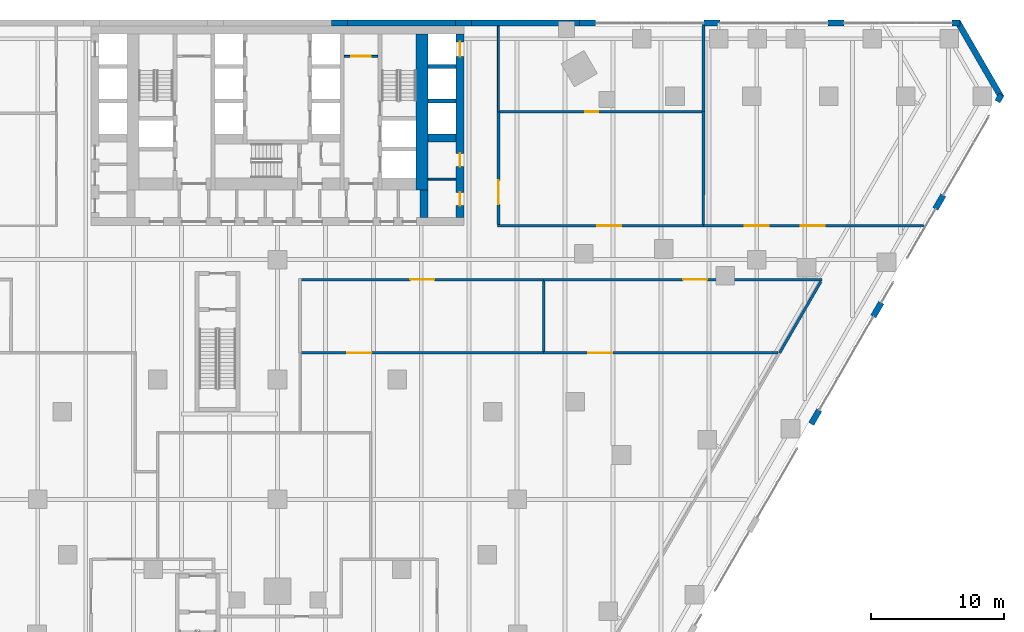
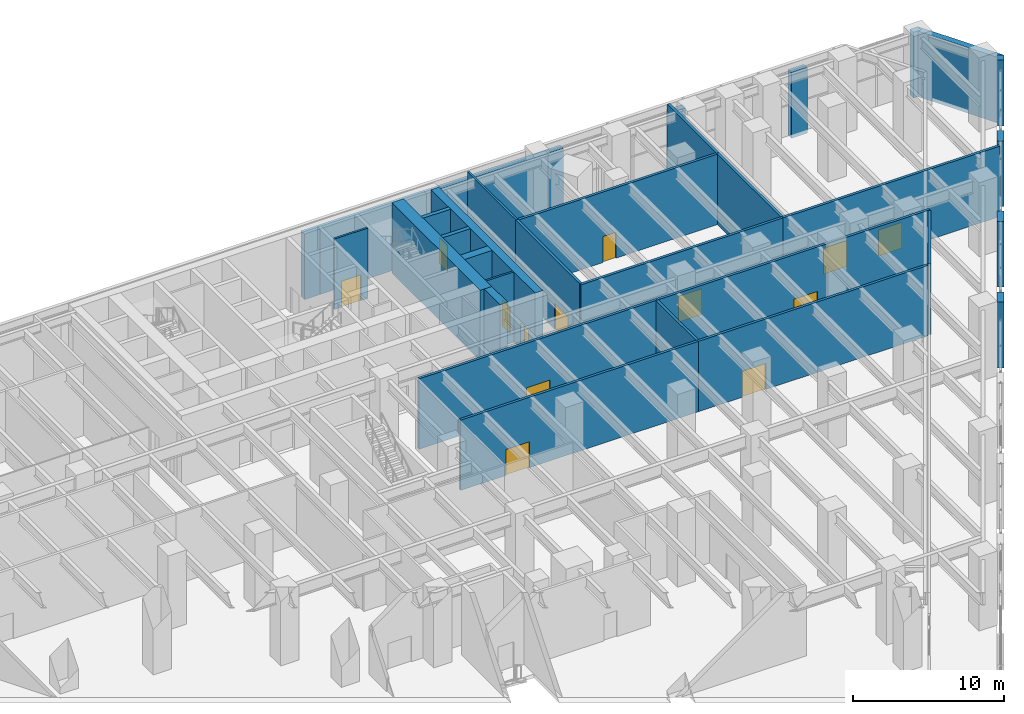
# One storey, part 34 of 37: 34 walls, 13 doors, 13 openings.
"""IFC4 building model written with IfcOpenShell, lengths in metres."""

from ifc_helpers import new_model, si_unit, direction, frame, frame_2d, origin, place, context, subcontext, project, spatial, polyline, rectangle, outline, extrude, material, layer, layer_set, type_object, element, fill, save


model = new_model("IFC4")

# Units and contexts
model_context = context("Model", 3, precision=1e-05, world=origin(), true_north=direction((0.0, 1.0)))
body_context = subcontext(model_context, "Body", "Model", "MODEL_VIEW")
ifc_project = project(units=[si_unit("LENGTHUNIT", "METRE"), si_unit("AREAUNIT", "SQUARE_METRE"), si_unit("VOLUMEUNIT", "CUBIC_METRE"), si_unit("PLANEANGLEUNIT", "RADIAN"), si_unit("MASSUNIT", "GRAM", prefix="KILO")], contexts=[model_context])

# Site, building, storey
site_placement = place(None, origin())
site = spatial("IfcSite", under=ifc_project, at=site_placement, CompositionType="ELEMENT")
building_placement = place(site_placement, origin())
building = spatial("IfcBuilding", under=site, at=building_placement, Name="Aloe Facet Convention Tower", CompositionType="ELEMENT")
storey_placement = place(building_placement, frame((0.0, 0.0, 7.5)))
storey = spatial("IfcBuildingStorey", under=building, at=storey_placement, Name="L01", CompositionType="ELEMENT", Elevation=7.5)

# Wall, opening, door
ifc_material_1 = material(Name="Concrete blockwork partition", Category="masonry")
ifc_layer_1 = layer(ifc_material_1, 0.14990234375)
ifc_layer_set_1 = layer_set([ifc_layer_1], Name="CR-W-PART150")
wall_type_1 = type_object("IfcWallType", Name="CR-W-PART150", PredefinedType="PARTITIONING", material=ifc_layer_set_1)
wall_1_placement = place(storey_placement, frame((85.0, 132.27490234375, 0.0), z_axis=(0.0, 0.0, 1.0), x_axis=(1.0, 0.0, 0.0)))
wall_1 = element("IfcWall", 1, at=wall_1_placement, inside=storey, type_object=wall_type_1, Name="Core partition L01-039", PredefinedType="PARTITIONING", context=body_context, shape_type="SweptSolid", body=[
    extrude(rectangle(XDim=2.550048828125, YDim=0.14990234375, at=frame_2d((1.27490234375, 0.0))), origin(), (0.0, 0.0, 1.0), 5.699951171875),
])
opening_1_placement = place(wall_1_placement, frame((0.52490234375, 0.0, 0.0)))
opening_1 = element("IfcOpeningElement", 2, at=opening_1_placement, cuts=wall_1, Name="Opening L01-CD20", PredefinedType="OPENING", context=body_context, shape_type="SweptSolid", body=[
    extrude(rectangle(XDim=1.5, YDim=2.10009765625, at=frame_2d((0.75, 1.050048828125))), frame((0.0, 0.0849609375, 0.0), z_axis=(0.0, -1.0, 0.0), x_axis=(1.0, 0.0, 0.0)), (0.0, 0.0, 1.0), 0.169921875),
])
ifc_material_2 = material(Name="Steel fire-resisting door set FD60", Category="steel")
door_type_1 = type_object("IfcDoorType", Name="CR-D-REFUGE-1500-FD60-DD", OperationType="DOUBLE_DOOR_DOUBLE_SWING", PredefinedType="DOOR", material=ifc_material_2)
door_1_placement = place(opening_1_placement, origin())
door_1 = element("IfcDoor", 3, at=door_1_placement, inside=storey, type_object=door_type_1, Name="Core door L01-CD20", OperationType="DOUBLE_DOOR_DOUBLE_SWING", OverallHeight=2.10009765625, OverallWidth=1.5, PredefinedType="DOOR", context=body_context, shape_type="SweptSolid", body=[
    extrude(rectangle(XDim=1.5, YDim=2.10009765625, at=frame_2d((0.75, 1.050048828125))), frame((0.0, 0.02490234375, 0.0), z_axis=(0.0, -1.0, 0.0), x_axis=(1.0, 0.0, 0.0)), (0.0, 0.0, 1.0), 0.050048828125),
])
fill(opening_1, door_1)

# Walls
wall_2_placement = place(storey_placement, frame((91.300048828125, 123.048583984375, 0.0), z_axis=(0.0, 0.0, 1.0), x_axis=(1.0, 0.0, 0.0)))
element("IfcWall", 4, at=wall_2_placement, inside=storey, type_object=wall_type_1, Name="Core partition L01-053", PredefinedType="PARTITIONING", context=body_context, shape_type="SweptSolid", body=[
    extrude(rectangle(XDim=2.099853515625, YDim=0.14990234375, at=frame_2d((1.0498046875, 0.0))), origin(), (0.0, 0.0, 1.0), 5.699951171875),
])
ifc_material_3 = material(Name="Concrete C80/95", Category="concrete")
ifc_layer_2 = layer(ifc_material_3, 0.300048828125)
ifc_layer_set_2 = layer_set([ifc_layer_2], Name="CR-W-RC300-C8095")
wall_type_2 = type_object("IfcWallType", Name="CR-W-RC300-C8095", PredefinedType="SOLIDWALL", material=ifc_layer_set_2)
for number, where, z_axis, x_axis, name in (
    (5, (91.300048828125, 131.5, 0.0), (0.0, 0.0, 1.0), (1.0, 0.0, 0.0), "Core wall L01-050"),
    (6, (91.300048828125, 128.89990234375, 0.0), (0.0, 0.0, 1.0), (1.0, 0.0, 0.0), "Core wall L01-051"),
):
    element("IfcWall", number, at=place(storey_placement, frame(where, z_axis=z_axis, x_axis=x_axis)), inside=storey, type_object=wall_type_2, Name=name, PredefinedType="SOLIDWALL", context=body_context, shape_type="SweptSolid", body=[
        extrude(rectangle(XDim=2.099853515625, YDim=0.300048828125, at=frame_2d((1.0498046875, 0.0))), origin(), (0.0, 0.0, 1.0), 5.699951171875),
    ])
ifc_material_4 = material(Name="Concrete C80/95", Category="concrete")
ifc_layer_3 = layer(ifc_material_4, 0.60009765625)
ifc_layer_set_3 = layer_set([ifc_layer_3], Name="CR-W-RC600-C8095")
wall_type_3 = type_object("IfcWallType", Name="CR-W-RC600-C8095", PredefinedType="SOLIDWALL", material=ifc_layer_set_3)
wall_3_placement = place(storey_placement, frame((91.0, 122.25, 0.0), z_axis=(0.0, 0.0, 1.0), x_axis=(0.0, -1.0, 0.0)))
element("IfcWall", 7, at=wall_3_placement, inside=storey, type_object=wall_type_3, Name="Core wall L01-049", PredefinedType="SOLIDWALL", context=body_context, shape_type="SweptSolid", body=[
    extrude(rectangle(XDim=2.10009765625, YDim=0.60009765625, at=frame_2d((1.050048828125, 0.0))), origin(), (0.0, 0.0, 1.0), 5.699951171875),
])
wall_4_placement = place(storey_placement, frame((91.300048828125, 126.14990234375, 0.0), z_axis=(0.0, 0.0, 1.0), x_axis=(1.0, 0.0, 0.0)))
element("IfcWall", 8, at=wall_4_placement, inside=storey, type_object=wall_type_3, Name="Core wall L01-052", PredefinedType="SOLIDWALL", context=body_context, shape_type="SweptSolid", body=[
    extrude(rectangle(XDim=2.099853515625, YDim=0.60009765625, at=frame_2d((1.0498046875, 0.0))), origin(), (0.0, 0.0, 1.0), 5.699951171875),
])

# Wall, openings, doors
wall_5_placement = place(storey_placement, frame((93.699951171875, 133.949951171875, 0.0), z_axis=(0.0, 0.0, 1.0), x_axis=(0.0, -1.0, 0.0)))
wall_5 = element("IfcWall", 9, at=wall_5_placement, inside=storey, type_object=wall_type_3, Name="Core wall L01-054", PredefinedType="SOLIDWALL", context=body_context, shape_type="SweptSolid", body=[
    extrude(rectangle(XDim=13.800048828125, YDim=0.60009765625, at=frame_2d((6.89990234375, 0.0))), origin(), (0.0, 0.0, 1.0), 5.699951171875),
])
opening_2_placement = place(wall_5_placement, frame((0.60009765625, 0.0, 0.0)))
opening_2 = element("IfcOpeningElement", 10, at=opening_2_placement, cuts=wall_5, Name="Opening LD-A8-L01", PredefinedType="OPENING", context=body_context, shape_type="SweptSolid", body=[
    extrude(rectangle(XDim=1.10009765625, YDim=2.10009765625, at=frame_2d((0.550048828125, 1.050048828125))), frame((0.0, 0.31005859375, 0.0), z_axis=(0.0, -1.0, 0.0), x_axis=(1.0, 0.0, 0.0)), (0.0, 0.0, 1.0), 0.6201171875),
])
opening_3_placement = place(wall_5_placement, frame((8.963134765625, 0.0, 0.0)))
opening_3 = element("IfcOpeningElement", 11, at=opening_3_placement, cuts=wall_5, Name="Opening L01-CD09", PredefinedType="OPENING", context=body_context, shape_type="SweptSolid", body=[
    extrude(rectangle(XDim=1.0, YDim=2.10009765625, at=frame_2d((0.5, 1.050048828125))), frame((0.0, 0.31005859375, 0.0), z_axis=(0.0, -1.0, 0.0), x_axis=(1.0, 0.0, 0.0)), (0.0, 0.0, 1.0), 0.6201171875),
])
opening_4_placement = place(wall_5_placement, frame((11.88818359375, 0.0, 0.0)))
opening_4 = element("IfcOpeningElement", 12, at=opening_4_placement, cuts=wall_5, Name="Opening L01-CD10", PredefinedType="OPENING", context=body_context, shape_type="SweptSolid", body=[
    extrude(rectangle(XDim=1.0, YDim=2.10009765625, at=frame_2d((0.5, 1.050048828125))), frame((0.0, 0.31005859375, 0.0), z_axis=(0.0, -1.0, 0.0), x_axis=(1.0, 0.0, 0.0)), (0.0, 0.0, 1.0), 0.6201171875),
])
ifc_material_5 = material(Name="Steel fire-resisting door set FD60", Category="steel")
door_type_2 = type_object("IfcDoorType", Name="CR-D-ROOM-1000-FD60-SLEFT", OperationType="SINGLE_SWING_LEFT", PredefinedType="DOOR", material=ifc_material_5)
door_2_placement = place(opening_3_placement, origin())
door_2 = element("IfcDoor", 13, at=door_2_placement, inside=storey, type_object=door_type_2, Name="Core door L01-CD09", OperationType="SINGLE_SWING_LEFT", OverallHeight=2.10009765625, OverallWidth=1.0, PredefinedType="DOOR", context=body_context, shape_type="SweptSolid", body=[
    extrude(rectangle(XDim=1.0, YDim=2.10009765625, at=frame_2d((0.5, 1.050048828125))), frame((0.0, 0.02490234375, 0.0), z_axis=(0.0, -1.0, 0.0), x_axis=(1.0, 0.0, 0.0)), (0.0, 0.0, 1.0), 0.050048828125),
])
fill(opening_3, door_2)
door_3_placement = place(opening_4_placement, origin())
door_3 = element("IfcDoor", 14, at=door_3_placement, inside=storey, type_object=door_type_2, Name="Core door L01-CD10", OperationType="SINGLE_SWING_LEFT", OverallHeight=2.10009765625, OverallWidth=1.0, PredefinedType="DOOR", context=body_context, shape_type="SweptSolid", body=[
    extrude(rectangle(XDim=1.0, YDim=2.10009765625, at=frame_2d((0.5, 1.050048828125))), frame((0.0, 0.02490234375, 0.0), z_axis=(0.0, -1.0, 0.0), x_axis=(1.0, 0.0, 0.0)), (0.0, 0.0, 1.0), 0.050048828125),
])
fill(opening_4, door_3)
ifc_material_6 = material(Name="Stainless steel sliding landing door", Category="steel")
door_type_3 = type_object("IfcDoorType", Name="CR-LD-1100-FD60-_LEFT", OperationType="SLIDING_TO_LEFT", PredefinedType="DOOR", material=ifc_material_6)
door_4_placement = place(opening_2_placement, origin())
door_4 = element("IfcDoor", 15, at=door_4_placement, inside=storey, type_object=door_type_3, Name="Landing door A8 L01", OperationType="SLIDING_TO_LEFT", OverallHeight=2.10009765625, OverallWidth=1.10009765625, PredefinedType="DOOR", context=body_context, shape_type="SweptSolid", body=[
    extrude(rectangle(XDim=1.10009765625, YDim=2.10009765625, at=frame_2d((0.550048828125, 1.050048828125))), frame((0.0, 0.02490234375, 0.0), z_axis=(0.0, -1.0, 0.0), x_axis=(1.0, 0.0, 0.0)), (0.0, 0.0, 1.0), 0.050048828125),
])
fill(opening_2, door_4)

# Walls
ifc_material_7 = material(Name="Concrete C80/95", Category="concrete")
ifc_layer_4 = layer(ifc_material_7, 0.89990234375)
ifc_layer_set_4 = layer_set([ifc_layer_4], Name="CR-W-RC900-C8095")
wall_type_4 = type_object("IfcWallType", Name="CR-W-RC900-C8095", PredefinedType="SOLIDWALL", material=ifc_layer_set_4)
wall_6_placement = place(storey_placement, frame((90.85009765625, 133.949951171875, 0.0), z_axis=(0.0, 0.0, 1.0), x_axis=(0.0, -1.0, 0.0)))
element("IfcWall", 16, at=wall_6_placement, inside=storey, type_object=wall_type_4, Name="Core wall L01-048", PredefinedType="SOLIDWALL", context=body_context, shape_type="SweptSolid", body=[
    extrude(rectangle(XDim=11.699951171875, YDim=0.89990234375, at=frame_2d((5.85009765625, 0.0))), origin(), (0.0, 0.0, 1.0), 5.699951171875),
])
ifc_material_8 = material(Name="Precast concrete C40/50", Category="concrete")
ifc_layer_5 = layer(ifc_material_8, 0.449951171875)
ifc_layer_set_5 = layer_set([ifc_layer_5], Name="EV-WALL-PIER")
wall_type_5 = type_object("IfcWallType", Name="EV-WALL-PIER", PredefinedType="SOLIDWALL", material=ifc_layer_set_5)
wall_7_placement = place(storey_placement, frame((0.0, 0.0, -0.300048828125)))
element("IfcWall", 17, at=wall_7_placement, inside=storey, type_object=wall_type_5, Name="EP-L01-C", PredefinedType="SOLIDWALL", context=body_context, shape_type="SweptSolid", body=[
    extrude(outline(polyline([(134.567626953125, 129.2841796875), (134.177734375, 129.50927734375), (134.0478515625, 129.2841796875), (131.0078125, 134.550048828125), (131.267578125, 134.550048828125), (131.267578125, 135.0), (134.567626953125, 129.2841796875)])), origin(), (0.0, 0.0, 1.0), 5.3125),
])
ifc_material_9 = material(Name="Precast concrete C40/50", Category="concrete")
ifc_layer_6 = layer(ifc_material_9, 0.449951171875)
ifc_layer_set_6 = layer_set([ifc_layer_6], Name="EV-WALL-STONE")
wall_type_6 = type_object("IfcWallType", Name="EV-WALL-STONE", PredefinedType="SOLIDWALL", material=ifc_layer_set_6)
wall_8_placement = place(storey_placement, frame((131.267578125, 134.77490234375, -0.300048828125), z_axis=(0.0, 0.0, 1.0), x_axis=(-1.0, 0.0, 0.0)))
element("IfcWall", 18, at=wall_8_placement, inside=storey, type_object=wall_type_6, Name="PW-L01-N01", PredefinedType="SOLIDWALL", context=body_context, shape_type="SweptSolid", body=[
    extrude(rectangle(XDim=0.60009765625, YDim=0.449951171875, at=frame_2d((0.300048828125, 0.0))), origin(), (0.0, 0.0, 1.0), 5.3125),
])
for number, where, z_axis, x_axis, name in (
    (19, (122.546142578125, 134.77490234375, -0.300048828125), (0.0, 0.0, 1.0), (-1.0, 0.0, 0.0), "PW-L01-N03"),
    (20, (113.224853515625, 134.77490234375, -0.300048828125), (0.0, 0.0, 1.0), (-1.0, 0.0, 0.0), "PW-L01-N05"),
    (21, (103.9033203125, 134.77490234375, -0.300048828125), (0.0, 0.0, 1.0), (-1.0, 0.0, 0.0), "PW-L01-N07"),
):
    element("IfcWall", number, at=place(storey_placement, frame(where, z_axis=z_axis, x_axis=x_axis)), inside=storey, type_object=wall_type_6, Name=name, PredefinedType="SOLIDWALL", context=body_context, shape_type="SweptSolid", body=[
        extrude(rectangle(XDim=1.199951171875, YDim=0.449951171875, at=frame_2d((0.60009765625, 0.0))), origin(), (0.0, 0.0, 1.0), 5.3125),
    ])
wall_9_placement = place(storey_placement, frame((102.703369140625, 134.77490234375, -0.300048828125), z_axis=(0.0, 0.0, 1.0), x_axis=(-1.0, 0.0, 0.0)))
element("IfcWall", 22, at=wall_9_placement, inside=storey, type_object=wall_type_6, Name="PW-L01-N08", PredefinedType="SOLIDWALL", context=body_context, shape_type="SweptSolid", body=[
    extrude(rectangle(XDim=8.121337890625, YDim=0.449951171875, at=frame_2d((4.060546875, 0.0))), origin(), (0.0, 0.0, 1.0), 5.3125),
])
wall_10_placement = place(storey_placement, frame((94.58203125, 134.77490234375, -0.300048828125), z_axis=(0.0, 0.0, 1.0), x_axis=(-1.0, 0.0, 0.0)))
element("IfcWall", 23, at=wall_10_placement, inside=storey, type_object=wall_type_6, Name="PW-L01-N09", PredefinedType="SOLIDWALL", context=body_context, shape_type="SweptSolid", body=[
    extrude(rectangle(XDim=1.199951171875, YDim=0.449951171875, at=frame_2d((0.60009765625, 0.0))), origin(), (0.0, 0.0, 1.0), 5.3125),
])
wall_11_placement = place(storey_placement, frame((93.382080078125, 134.77490234375, -0.300048828125), z_axis=(0.0, 0.0, 1.0), x_axis=(-1.0, 0.0, 0.0)))
element("IfcWall", 24, at=wall_11_placement, inside=storey, type_object=wall_type_6, Name="PW-L01-N10", PredefinedType="SOLIDWALL", context=body_context, shape_type="SweptSolid", body=[
    extrude(rectangle(XDim=8.121337890625, YDim=0.449951171875, at=frame_2d((4.060546875, 0.0))), origin(), (0.0, 0.0, 1.0), 5.3125),
])
wall_12_placement = place(storey_placement, frame((85.2607421875, 134.77490234375, -0.300048828125), z_axis=(0.0, 0.0, 1.0), x_axis=(-1.0, 0.0, 0.0)))
element("IfcWall", 25, at=wall_12_placement, inside=storey, type_object=wall_type_6, Name="PW-L01-N11", PredefinedType="SOLIDWALL", context=body_context, shape_type="SweptSolid", body=[
    extrude(rectangle(XDim=1.199951171875, YDim=0.449951171875, at=frame_2d((0.60009765625, 0.0))), origin(), (0.0, 0.0, 1.0), 5.3125),
])
for number, where, z_axis, x_axis, name in (
    (26, (120.090576171875, 104.659423828125, -0.300048828125), (0.0, 0.0, 1.0), (0.500033551112, 0.866006032174, 0.0), "PW-L01-E17"),
    (27, (124.751220703125, 112.73193359375, -0.300048828125), (0.0, 0.0, 1.0), (0.500033551112, 0.866006032174, 0.0), "PW-L01-E19"),
):
    element("IfcWall", number, at=place(storey_placement, frame(where, z_axis=z_axis, x_axis=x_axis)), inside=storey, type_object=wall_type_6, Name=name, PredefinedType="SOLIDWALL", context=body_context, shape_type="SweptSolid", body=[
        extrude(rectangle(XDim=1.2001953125, YDim=0.449951171875, at=frame_2d((0.60009765625, 0.0))), origin(), (0.0, 0.0, 1.0), 5.3125),
    ])
wall_13_placement = place(storey_placement, frame((129.411865234375, 120.8046875, -0.300048828125), z_axis=(0.0, 0.0, 1.0), x_axis=(0.50012165622, 0.865955154139, 0.0)))
element("IfcWall", 28, at=wall_13_placement, inside=storey, type_object=wall_type_6, Name="PW-L01-E21", PredefinedType="SOLIDWALL", context=body_context, shape_type="SweptSolid", body=[
    extrude(rectangle(XDim=1.199951171875, YDim=0.449951171875, at=frame_2d((0.60009765625, 0.0))), origin(), (0.0, 0.0, 1.0), 5.3125),
])
wall_14_placement = place(storey_placement, frame((134.07275390625, 128.877197265625, -0.300048828125), z_axis=(0.0, 0.0, 1.0), x_axis=(0.499816412211, 0.866131372301, 0.0)))
element("IfcWall", 29, at=wall_14_placement, inside=storey, type_object=wall_type_6, Name="PW-L01-E23", PredefinedType="SOLIDWALL", context=body_context, shape_type="SweptSolid", body=[
    extrude(rectangle(XDim=0.599853515625, YDim=0.449951171875, at=frame_2d((0.2998046875, 0.0))), origin(), (0.0, 0.0, 1.0), 5.3125),
])

# Wall, opening, door
ifc_material_10 = material(Name="Masonry blockwork wall, plastered", Category="masonry")
ifc_layer_7 = layer(ifc_material_10, 0.199951171875)
ifc_layer_set_7 = layer_set([ifc_layer_7], Name="IN-POD-W-ASSY")
wall_type_7 = type_object("IfcWallType", Name="IN-POD-W-ASSY", PredefinedType="PARTITIONING", material=ifc_layer_set_7)
wall_15_placement = place(storey_placement, frame((81.780029296875, 110.0, 0.0), z_axis=(0.0, 0.0, 1.0), x_axis=(1.0, 0.0, 0.0)))
wall_15 = element("IfcWall", 30, at=wall_15_placement, inside=storey, type_object=wall_type_7, Name="Partition L01-W028", PredefinedType="PARTITIONING", context=body_context, shape_type="SweptSolid", body=[
    extrude(rectangle(XDim=18.219970703125, YDim=0.199951171875, at=frame_2d((9.10986328125, 0.0))), origin(), (0.0, 0.0, 1.0), 5.699951171875),
])
opening_5_placement = place(wall_15_placement, frame((3.464111328125, 0.0, 0.0)))
opening_5 = element("IfcOpeningElement", 31, at=opening_5_placement, cuts=wall_15, Name="Opening L01-023", PredefinedType="OPENING", context=body_context, shape_type="SweptSolid", body=[
    extrude(rectangle(XDim=1.800048828125, YDim=2.10009765625, at=frame_2d((0.89990234375, 1.050048828125))), frame((0.0, 0.10986328125, 0.0), z_axis=(0.0, -1.0, 0.0), x_axis=(1.0, 0.0, 0.0)), (0.0, 0.0, 1.0), 0.219970703125),
])
ifc_material_11 = material(Name="Hardwood flush door pair", Category="wood")
door_type_4 = type_object("IfcDoorType", Name="IN-POD-D-PAIR", OperationType="DOUBLE_DOOR_SINGLE_SWING", PredefinedType="DOOR", material=ifc_material_11)
door_5_placement = place(opening_5_placement, origin())
door_5 = element("IfcDoor", 32, at=door_5_placement, inside=storey, type_object=door_type_4, Name="Door L01-023", OperationType="SINGLE_SWING_LEFT", OverallHeight=2.10009765625, OverallWidth=1.800048828125, PredefinedType="DOOR", context=body_context, shape_type="SweptSolid", body=[
    extrude(rectangle(XDim=1.800048828125, YDim=2.10009765625, at=frame_2d((0.89990234375, 1.050048828125))), frame((0.0, 0.02490234375, 0.0), z_axis=(0.0, -1.0, 0.0), x_axis=(1.0, 0.0, 0.0)), (0.0, 0.0, 1.0), 0.050048828125),
])
fill(opening_5, door_5)

# Wall
wall_16_placement = place(storey_placement, frame((100.0, 110.0849609375, 0.0), z_axis=(0.0, 0.0, 1.0), x_axis=(0.0, 1.0, 0.0)))
element("IfcWall", 33, at=wall_16_placement, inside=storey, type_object=wall_type_7, Name="Partition L01-W029", PredefinedType="PARTITIONING", context=body_context, shape_type="SweptSolid", body=[
    extrude(rectangle(XDim=5.330078125, YDim=0.199951171875, at=frame_2d((2.6650390625, 0.0))), origin(), (0.0, 0.0, 1.0), 5.699951171875),
])

# Wall, opening, door
wall_17_placement = place(storey_placement, frame((100.0, 110.0, 0.0), z_axis=(0.0, 0.0, 1.0), x_axis=(1.0, 0.0, 0.0)))
wall_17 = element("IfcWall", 34, at=wall_17_placement, inside=storey, type_object=wall_type_7, Name="Partition L01-W031", PredefinedType="PARTITIONING", context=body_context, shape_type="SweptSolid", body=[
    extrude(rectangle(XDim=17.593017578125, YDim=0.199951171875, at=frame_2d((8.79638671875, 0.0))), origin(), (0.0, 0.0, 1.0), 5.699951171875),
])
opening_6_placement = place(wall_17_placement, frame((3.338623046875, 0.0, 0.0)))
opening_6 = element("IfcOpeningElement", 35, at=opening_6_placement, cuts=wall_17, Name="Opening L01-025", PredefinedType="OPENING", context=body_context, shape_type="SweptSolid", body=[
    extrude(rectangle(XDim=1.800048828125, YDim=2.10009765625, at=frame_2d((0.89990234375, 1.050048828125))), frame((0.0, 0.10986328125, 0.0), z_axis=(0.0, -1.0, 0.0), x_axis=(1.0, 0.0, 0.0)), (0.0, 0.0, 1.0), 0.219970703125),
])
door_6_placement = place(opening_6_placement, origin())
door_6 = element("IfcDoor", 36, at=door_6_placement, inside=storey, type_object=door_type_4, Name="Door L01-025", OperationType="SINGLE_SWING_LEFT", OverallHeight=2.10009765625, OverallWidth=1.800048828125, PredefinedType="DOOR", context=body_context, shape_type="SweptSolid", body=[
    extrude(rectangle(XDim=1.800048828125, YDim=2.10009765625, at=frame_2d((0.89990234375, 1.050048828125))), frame((0.0, 0.02490234375, 0.0), z_axis=(0.0, -1.0, 0.0), x_axis=(1.0, 0.0, 0.0)), (0.0, 0.0, 1.0), 0.050048828125),
])
fill(opening_6, door_6)

wall_18_placement = place(storey_placement, frame((81.780029296875, 115.5, 0.0), z_axis=(0.0, 0.0, 1.0), x_axis=(1.0, 0.0, 0.0)))
wall_18 = element("IfcWall", 37, at=wall_18_placement, inside=storey, type_object=wall_type_7, Name="Partition L01-W034", PredefinedType="PARTITIONING", context=body_context, shape_type="SweptSolid", body=[
    extrude(rectangle(XDim=18.219970703125, YDim=0.199951171875, at=frame_2d((9.10986328125, 0.0))), origin(), (0.0, 0.0, 1.0), 5.699951171875),
])
opening_7_placement = place(wall_18_placement, frame((8.2099609375, 0.0, 0.0)))
opening_7 = element("IfcOpeningElement", 38, at=opening_7_placement, cuts=wall_18, Name="Opening L01-022", PredefinedType="OPENING", context=body_context, shape_type="SweptSolid", body=[
    extrude(rectangle(XDim=1.800048828125, YDim=2.10009765625, at=frame_2d((0.89990234375, 1.050048828125))), frame((0.0, 0.10986328125, 0.0), z_axis=(0.0, -1.0, 0.0), x_axis=(1.0, 0.0, 0.0)), (0.0, 0.0, 1.0), 0.219970703125),
])
door_7_placement = place(opening_7_placement, origin())
door_7 = element("IfcDoor", 39, at=door_7_placement, inside=storey, type_object=door_type_4, Name="Door L01-022", OperationType="SINGLE_SWING_LEFT", OverallHeight=2.10009765625, OverallWidth=1.800048828125, PredefinedType="DOOR", context=body_context, shape_type="SweptSolid", body=[
    extrude(rectangle(XDim=1.800048828125, YDim=2.10009765625, at=frame_2d((0.89990234375, 1.050048828125))), frame((0.0, 0.02490234375, 0.0), z_axis=(0.0, -1.0, 0.0), x_axis=(1.0, 0.0, 0.0)), (0.0, 0.0, 1.0), 0.050048828125),
])
fill(opening_7, door_7)

wall_19_placement = place(storey_placement, frame((100.0, 115.5, 0.0), z_axis=(0.0, 0.0, 1.0), x_axis=(1.0, 0.0, 0.0)))
wall_19 = element("IfcWall", 40, at=wall_19_placement, inside=storey, type_object=wall_type_7, Name="Partition L01-W035", PredefinedType="PARTITIONING", context=body_context, shape_type="SweptSolid", body=[
    extrude(rectangle(XDim=20.893310546875, YDim=0.199951171875, at=frame_2d((10.44677734375, 0.0))), origin(), (0.0, 0.0, 1.0), 5.699951171875),
])
opening_8_placement = place(wall_19_placement, frame((10.471435546875, 0.0, 0.0)))
opening_8 = element("IfcOpeningElement", 41, at=opening_8_placement, cuts=wall_19, Name="Opening L01-024", PredefinedType="OPENING", context=body_context, shape_type="SweptSolid", body=[
    extrude(rectangle(XDim=1.800048828125, YDim=2.10009765625, at=frame_2d((0.89990234375, 1.050048828125))), frame((0.0, 0.10986328125, 0.0), z_axis=(0.0, -1.0, 0.0), x_axis=(1.0, 0.0, 0.0)), (0.0, 0.0, 1.0), 0.219970703125),
])
door_8_placement = place(opening_8_placement, origin())
door_8 = element("IfcDoor", 42, at=door_8_placement, inside=storey, type_object=door_type_4, Name="Door L01-024", OperationType="SINGLE_SWING_LEFT", OverallHeight=2.10009765625, OverallWidth=1.800048828125, PredefinedType="DOOR", context=body_context, shape_type="SweptSolid", body=[
    extrude(rectangle(XDim=1.800048828125, YDim=2.10009765625, at=frame_2d((0.89990234375, 1.050048828125))), frame((0.0, 0.02490234375, 0.0), z_axis=(0.0, -1.0, 0.0), x_axis=(1.0, 0.0, 0.0)), (0.0, 0.0, 1.0), 0.050048828125),
])
fill(opening_8, door_8)

# Wall
wall_20_placement = place(storey_placement, frame((117.718017578125, 110.0, 0.0), z_axis=(0.0, 0.0, 1.0), x_axis=(0.499994402361, 0.866028635559, 0.0)))
element("IfcWall", 43, at=wall_20_placement, inside=storey, type_object=wall_type_7, Name="Partition L01-W036", PredefinedType="PARTITIONING", context=body_context, shape_type="SweptSolid", body=[
    extrude(rectangle(XDim=6.19091796875, YDim=0.199951171875, at=frame_2d((3.095458984375, 0.0))), origin(), (0.0, 0.0, 1.0), 5.699951171875),
])

# Wall, opening, door
wall_21_placement = place(storey_placement, frame((96.525634765625, 119.550048828125, 0.0), z_axis=(0.0, 0.0, 1.0), x_axis=(1.0, 0.0, 0.0)))
wall_21 = element("IfcWall", 44, at=wall_21_placement, inside=storey, type_object=wall_type_7, Name="Partition L01-W042", PredefinedType="PARTITIONING", context=body_context, shape_type="SweptSolid", body=[
    extrude(rectangle(XDim=15.46435546875, YDim=0.199951171875, at=frame_2d((7.732177734375, 0.0))), origin(), (0.0, 0.0, 1.0), 5.699951171875),
])
opening_9_placement = place(wall_21_placement, frame((7.4853515625, 0.0, 0.0)))
opening_9 = element("IfcOpeningElement", 45, at=opening_9_placement, cuts=wall_21, Name="Opening L01-004", PredefinedType="OPENING", context=body_context, shape_type="SweptSolid", body=[
    extrude(rectangle(XDim=1.800048828125, YDim=2.10009765625, at=frame_2d((0.89990234375, 1.050048828125))), frame((0.0, 0.10986328125, 0.0), z_axis=(0.0, -1.0, 0.0), x_axis=(1.0, 0.0, 0.0)), (0.0, 0.0, 1.0), 0.219970703125),
])
door_9_placement = place(opening_9_placement, origin())
door_9 = element("IfcDoor", 46, at=door_9_placement, inside=storey, type_object=door_type_4, Name="Door L01-004", OperationType="SINGLE_SWING_LEFT", OverallHeight=2.10009765625, OverallWidth=1.800048828125, PredefinedType="DOOR", context=body_context, shape_type="SweptSolid", body=[
    extrude(rectangle(XDim=1.800048828125, YDim=2.10009765625, at=frame_2d((0.89990234375, 1.050048828125))), frame((0.0, 0.02490234375, 0.0), z_axis=(0.0, -1.0, 0.0), x_axis=(1.0, 0.0, 0.0)), (0.0, 0.0, 1.0), 0.050048828125),
])
fill(opening_9, door_9)

# Wall, openings, doors
wall_22_placement = place(storey_placement, frame((111.989990234375, 119.550048828125, 0.0), z_axis=(0.0, 0.0, 1.0), x_axis=(1.0, 0.0, 0.0)))
wall_22 = element("IfcWall", 47, at=wall_22_placement, inside=storey, type_object=wall_type_7, Name="Partition L01-W043", PredefinedType="PARTITIONING", context=body_context, shape_type="SweptSolid", body=[
    extrude(rectangle(XDim=16.585205078125, YDim=0.199951171875, at=frame_2d((8.29248046875, 0.0))), origin(), (0.0, 0.0, 1.0), 5.699951171875),
])
opening_10_placement = place(wall_22_placement, frame((7.31884765625, 0.0, 0.0)))
opening_10 = element("IfcOpeningElement", 48, at=opening_10_placement, cuts=wall_22, Name="Opening L01-006", PredefinedType="OPENING", context=body_context, shape_type="SweptSolid", body=[
    extrude(rectangle(XDim=1.800048828125, YDim=2.10009765625, at=frame_2d((0.89990234375, 1.050048828125))), frame((0.0, 0.10986328125, 0.0), z_axis=(0.0, -1.0, 0.0), x_axis=(1.0, 0.0, 0.0)), (0.0, 0.0, 1.0), 0.219970703125),
])
opening_11_placement = place(wall_22_placement, frame((3.107421875, 0.0, 0.0)))
opening_11 = element("IfcOpeningElement", 49, at=opening_11_placement, cuts=wall_22, Name="Opening L01-007", PredefinedType="OPENING", context=body_context, shape_type="SweptSolid", body=[
    extrude(rectangle(XDim=1.800048828125, YDim=2.10009765625, at=frame_2d((0.89990234375, 1.050048828125))), frame((0.0, 0.10986328125, 0.0), z_axis=(0.0, -1.0, 0.0), x_axis=(1.0, 0.0, 0.0)), (0.0, 0.0, 1.0), 0.219970703125),
])
door_10_placement = place(opening_10_placement, origin())
door_10 = element("IfcDoor", 50, at=door_10_placement, inside=storey, type_object=door_type_4, Name="Door L01-006", OperationType="SINGLE_SWING_LEFT", OverallHeight=2.10009765625, OverallWidth=1.800048828125, PredefinedType="DOOR", context=body_context, shape_type="SweptSolid", body=[
    extrude(rectangle(XDim=1.800048828125, YDim=2.10009765625, at=frame_2d((0.89990234375, 1.050048828125))), frame((0.0, 0.02490234375, 0.0), z_axis=(0.0, -1.0, 0.0), x_axis=(1.0, 0.0, 0.0)), (0.0, 0.0, 1.0), 0.050048828125),
])
fill(opening_10, door_10)
door_11_placement = place(opening_11_placement, origin())
door_11 = element("IfcDoor", 51, at=door_11_placement, inside=storey, type_object=door_type_4, Name="Door L01-007", OperationType="SINGLE_SWING_LEFT", OverallHeight=2.10009765625, OverallWidth=1.800048828125, PredefinedType="DOOR", context=body_context, shape_type="SweptSolid", body=[
    extrude(rectangle(XDim=1.800048828125, YDim=2.10009765625, at=frame_2d((0.89990234375, 1.050048828125))), frame((0.0, 0.02490234375, 0.0), z_axis=(0.0, -1.0, 0.0), x_axis=(1.0, 0.0, 0.0)), (0.0, 0.0, 1.0), 0.050048828125),
])
fill(opening_11, door_11)

# Wall
wall_23_placement = place(storey_placement, frame((111.989990234375, 119.635009765625, 0.0), z_axis=(0.0, 0.0, 1.0), x_axis=(0.001181078856, 0.999999302526, 0.0)))
element("IfcWall", 52, at=wall_23_placement, inside=storey, type_object=wall_type_7, Name="Partition L01-W044", PredefinedType="PARTITIONING", context=body_context, shape_type="SweptSolid", body=[
    extrude(rectangle(XDim=8.47509765625, YDim=0.199951171875, at=frame_2d((4.237548828125, 0.0))), origin(), (0.0, 0.0, 1.0), 5.699951171875),
])

# Wall, opening, door
wall_24_placement = place(storey_placement, frame((96.68505859375, 128.10009765625, 0.0), z_axis=(0.0, 0.0, 1.0), x_axis=(0.999999794015, 0.000641848392, 0.0)))
wall_24 = element("IfcWall", 53, at=wall_24_placement, inside=storey, type_object=wall_type_7, Name="Partition L01-W054", PredefinedType="PARTITIONING", context=body_context, shape_type="SweptSolid", body=[
    extrude(rectangle(XDim=15.21484375, YDim=0.199951171875, at=frame_2d((7.607421875, 0.0))), origin(), (0.0, 0.0, 1.0), 5.699951171875),
])
opening_12_placement = place(wall_24_placement, frame((6.4267578125, 0.0, 0.0)))
opening_12 = element("IfcOpeningElement", 54, at=opening_12_placement, cuts=wall_24, Name="Opening L01-008", PredefinedType="OPENING", context=body_context, shape_type="SweptSolid", body=[
    extrude(rectangle(XDim=1.0, YDim=2.10009765625, at=frame_2d((0.5, 1.050048828125))), frame((0.0, 0.10986328125, 0.0), z_axis=(0.0, -1.0, 0.0), x_axis=(1.0, 0.0, 0.0)), (0.0, 0.0, 1.0), 0.219970703125),
])
ifc_material_12 = material(Name="Hardwood flush door", Category="wood")
door_type_5 = type_object("IfcDoorType", Name="IN-POD-D-WIDE", OperationType="SINGLE_SWING_LEFT", PredefinedType="DOOR", material=ifc_material_12)
door_12_placement = place(opening_12_placement, origin())
door_12 = element("IfcDoor", 55, at=door_12_placement, inside=storey, type_object=door_type_5, Name="Door L01-008", OperationType="SINGLE_SWING_LEFT", OverallHeight=2.10009765625, OverallWidth=1.0, PredefinedType="DOOR", context=body_context, shape_type="SweptSolid", body=[
    extrude(rectangle(XDim=1.0, YDim=2.10009765625, at=frame_2d((0.5, 1.050048828125))), frame((0.0, 0.02490234375, 0.0), z_axis=(0.0, -1.0, 0.0), x_axis=(1.0, 0.0, 0.0)), (0.0, 0.0, 1.0), 0.050048828125),
])
fill(opening_12, door_12)

wall_25_placement = place(storey_placement, frame((96.6005859375, 119.635009765625, 0.0), z_axis=(0.0, 0.0, 1.0), x_axis=(-5.768177e-05, 0.999999998336, 0.0)))
wall_25 = element("IfcWall", 56, at=wall_25_placement, inside=storey, type_object=wall_type_7, Name="Partition L01-W055", PredefinedType="PARTITIONING", context=body_context, shape_type="SweptSolid", body=[
    extrude(rectangle(XDim=8.465087890625, YDim=0.199951171875, at=frame_2d((4.232421875, 0.0))), origin(), (0.0, 0.0, 1.0), 5.699951171875),
])
opening_13_placement = place(wall_25_placement, frame((1.512939453125, 0.0, 0.0)))
opening_13 = element("IfcOpeningElement", 57, at=opening_13_placement, cuts=wall_25, Name="Opening L01-005", PredefinedType="OPENING", context=body_context, shape_type="SweptSolid", body=[
    extrude(rectangle(XDim=1.800048828125, YDim=2.10009765625, at=frame_2d((0.89990234375, 1.050048828125))), frame((0.0, 0.10986328125, 0.0), z_axis=(0.0, -1.0, 0.0), x_axis=(1.0, 0.0, 0.0)), (0.0, 0.0, 1.0), 0.219970703125),
])
door_13_placement = place(opening_13_placement, origin())
door_13 = element("IfcDoor", 58, at=door_13_placement, inside=storey, type_object=door_type_4, Name="Door L01-005", OperationType="SINGLE_SWING_LEFT", OverallHeight=2.10009765625, OverallWidth=1.800048828125, PredefinedType="DOOR", context=body_context, shape_type="SweptSolid", body=[
    extrude(rectangle(XDim=1.800048828125, YDim=2.10009765625, at=frame_2d((0.89990234375, 1.050048828125))), frame((0.0, 0.02490234375, 0.0), z_axis=(0.0, -1.0, 0.0), x_axis=(1.0, 0.0, 0.0)), (0.0, 0.0, 1.0), 0.050048828125),
])
fill(opening_13, door_13)

# Walls
wall_26_placement = place(storey_placement, frame((112.0, 128.110107421875, 0.0), z_axis=(0.0, 0.0, 1.0), x_axis=(0.0, 1.0, 0.0)))
element("IfcWall", 59, at=wall_26_placement, inside=storey, type_object=wall_type_7, Name="Partition L01-W057", PredefinedType="PARTITIONING", context=body_context, shape_type="SweptSolid", body=[
    extrude(rectangle(XDim=6.56494140625, YDim=0.199951171875, at=frame_2d((3.282470703125, 0.0))), origin(), (0.0, 0.0, 1.0), 5.699951171875),
])
ifc_material_13 = material(Name="Gypsum board partition on steel studs, double layer", Category="steel")
ifc_layer_8 = layer(ifc_material_13, 0.14990234375)
ifc_layer_set_8 = layer_set([ifc_layer_8], Name="IN-POD-W-CORR")
wall_type_8 = type_object("IfcWallType", Name="IN-POD-W-CORR", PredefinedType="PARTITIONING", material=ifc_layer_set_8)
wall_27_placement = place(storey_placement, frame((96.60009765625, 128.10009765625, 0.0), z_axis=(0.0, 0.0, 1.0), x_axis=(0.0, 1.0, 0.0)))
element("IfcWall", 60, at=wall_27_placement, inside=storey, type_object=wall_type_8, Name="Partition L01-W056", PredefinedType="PARTITIONING", context=body_context, shape_type="SweptSolid", body=[
    extrude(rectangle(XDim=6.449951171875, YDim=0.14990234375, at=frame_2d((3.22509765625, 0.0))), origin(), (0.0, 0.0, 1.0), 5.699951171875),
])

save(model, "model.ifc")
